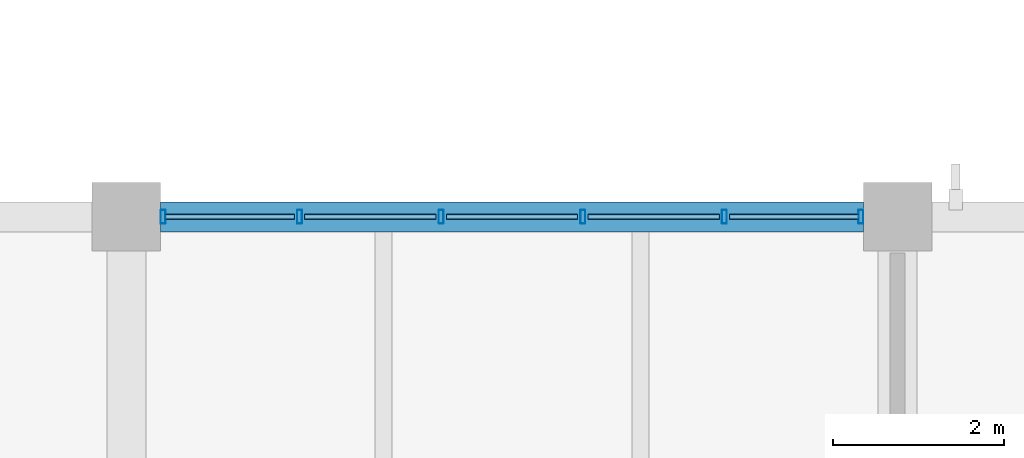
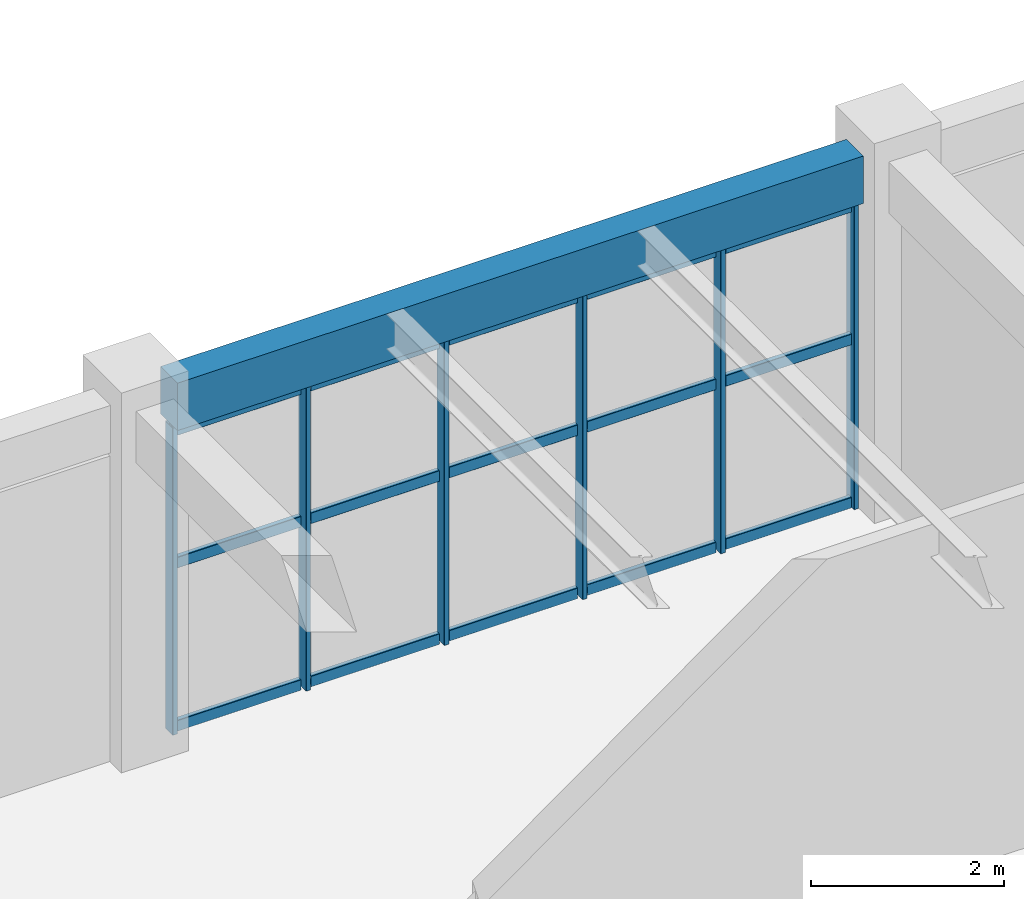
# One storey, part 134 of 178: 21 members, 1 beam, 1 element without a shape of its own.
"""IFC4 building model written with IfcOpenShell, lengths in metres."""

from ifc_helpers import new_model, si_unit, derived_unit, direction, frame, origin, origin_2d, place, context, subcontext, project, spatial, rectangle, hollow_rectangle, extrude, material, material_profile, profile_set, type_object, element, aggregate, save


model = new_model("IFC4")

# Units and contexts
model_context = context("Model", 3, precision=1e-05, world=origin(), true_north=direction((0.0, 1.0)))
body_context = subcontext(model_context, "Body", "Model", "MODEL_VIEW")
ifc_project = project(units=[si_unit("LENGTHUNIT", "METRE"), si_unit("AREAUNIT", "SQUARE_METRE"), si_unit("VOLUMEUNIT", "CUBIC_METRE"), si_unit("PLANEANGLEUNIT", "RADIAN"), si_unit("MASSUNIT", "GRAM", prefix="KILO"), derived_unit("THERMALTRANSMITTANCEUNIT", [(si_unit("MASSUNIT", "GRAM", prefix="KILO"), 1), (si_unit("TIMEUNIT", "SECOND"), -3), (si_unit("THERMODYNAMICTEMPERATUREUNIT", "KELVIN"), -1)])], contexts=[model_context])

# Site, building, storey
site_placement = place(None, origin())
site = spatial("IfcSite", under=ifc_project, at=site_placement, CompositionType="ELEMENT")
building_placement = place(site_placement, origin())
building = spatial("IfcBuilding", under=site, at=building_placement, Name="Zhenchuan Archway Interchange", CompositionType="ELEMENT")
storey_placement = place(building_placement, frame((0.0, 0.0, 5.39990234375)))
storey = spatial("IfcBuildingStorey", under=building, at=storey_placement, Name="L01", CompositionType="ELEMENT", Elevation=5.39990234375)

# Curtain wall, members
ifc_material_1 = material(Name="Anodised Aluminium", Category="aluminium")
curtain_wall_type = type_object("IfcCurtainWallType", Name="CW_UNIT_3", PredefinedType="NOTDEFINED", material=ifc_material_1)
curtain_wall_placement = place(storey_placement, origin())
curtain_wall = element("IfcCurtainWall", 1, at=curtain_wall_placement, inside=storey, type_object=curtain_wall_type, Name="Unitised curtain wall CW:L01:062", PredefinedType="NOTDEFINED")
ifc_material_profile_1 = material_profile(ifc_material_1, hollow_rectangle(XDim=0.06005859375, YDim=0.159912109375, WallThickness=0.00390625, InnerFilletRadius=0.00390625, OuterFilletRadius=0.008056640625, at=origin_2d()), Name="ALU 160x60x4")
ifc_profile_set_1 = profile_set([ifc_material_profile_1], Name="Anodised Aluminium")
member_type_1 = type_object("IfcMemberType", Name="CW_MUL_150", PredefinedType="MULLION", material=ifc_profile_set_1)
member_1_placement = place(storey_placement, frame((135.427978515625, 104.0, 0.0), z_axis=(0.0, 0.0, 1.0), x_axis=(1.0, 0.0, 0.0)))
member_1 = element("IfcMember", 2, at=member_1_placement, type_object=member_type_1, Name="CW:L01:062 mullion 0", PredefinedType="MULLION", context=body_context, shape_type="SweptSolid", body=[
    extrude(hollow_rectangle(XDim=0.06005859375, YDim=0.159912109375, WallThickness=0.00390625, InnerFilletRadius=0.00390625, OuterFilletRadius=0.008056640625, at=origin_2d()), origin(), (0.0, 0.0, 1.0), 3.880126953125),
])
member_2_placement = place(storey_placement, frame((137.020751953125, 104.0, 0.0), z_axis=(0.0, 0.0, 1.0), x_axis=(1.0, 0.0, 0.0)))
member_2 = element("IfcMember", 3, at=member_2_placement, type_object=member_type_1, Name="CW:L01:062 mullion 1", PredefinedType="MULLION", context=body_context, shape_type="SweptSolid", body=[
    extrude(hollow_rectangle(XDim=0.06005859375, YDim=0.159912109375, WallThickness=0.00390625, InnerFilletRadius=0.00390625, OuterFilletRadius=0.008056640625, at=origin_2d()), origin(), (0.0, 0.0, 1.0), 3.880126953125),
])
member_3_placement = place(storey_placement, frame((138.673583984375, 104.0, 0.0), z_axis=(0.0, 0.0, 1.0), x_axis=(1.0, 0.0, 0.0)))
member_3 = element("IfcMember", 4, at=member_3_placement, type_object=member_type_1, Name="CW:L01:062 mullion 2", PredefinedType="MULLION", context=body_context, shape_type="SweptSolid", body=[
    extrude(hollow_rectangle(XDim=0.06005859375, YDim=0.159912109375, WallThickness=0.00390625, InnerFilletRadius=0.00390625, OuterFilletRadius=0.008056640625, at=origin_2d()), origin(), (0.0, 0.0, 1.0), 3.880126953125),
])
member_4_placement = place(storey_placement, frame((140.326416015625, 104.0, 0.0), z_axis=(0.0, 0.0, 1.0), x_axis=(1.0, 0.0, 0.0)))
member_4 = element("IfcMember", 5, at=member_4_placement, type_object=member_type_1, Name="CW:L01:062 mullion 3", PredefinedType="MULLION", context=body_context, shape_type="SweptSolid", body=[
    extrude(hollow_rectangle(XDim=0.06005859375, YDim=0.159912109375, WallThickness=0.00390625, InnerFilletRadius=0.00390625, OuterFilletRadius=0.008056640625, at=origin_2d()), origin(), (0.0, 0.0, 1.0), 3.880126953125),
])
member_5_placement = place(storey_placement, frame((141.979248046875, 104.0, 0.0), z_axis=(0.0, 0.0, 1.0), x_axis=(1.0, 0.0, 0.0)))
member_5 = element("IfcMember", 6, at=member_5_placement, type_object=member_type_1, Name="CW:L01:062 mullion 4", PredefinedType="MULLION", context=body_context, shape_type="SweptSolid", body=[
    extrude(hollow_rectangle(XDim=0.06005859375, YDim=0.159912109375, WallThickness=0.00390625, InnerFilletRadius=0.00390625, OuterFilletRadius=0.008056640625, at=origin_2d()), origin(), (0.0, 0.0, 1.0), 3.880126953125),
])
member_6_placement = place(storey_placement, frame((143.572021484375, 104.0, 0.0), z_axis=(0.0, 0.0, 1.0), x_axis=(1.0, 0.0, 0.0)))
member_6 = element("IfcMember", 7, at=member_6_placement, type_object=member_type_1, Name="CW:L01:062 mullion 5", PredefinedType="MULLION", context=body_context, shape_type="SweptSolid", body=[
    extrude(hollow_rectangle(XDim=0.06005859375, YDim=0.159912109375, WallThickness=0.00390625, InnerFilletRadius=0.00390625, OuterFilletRadius=0.008056640625, at=origin_2d()), origin(), (0.0, 0.0, 1.0), 3.880126953125),
])
ifc_material_profile_2 = material_profile(ifc_material_1, hollow_rectangle(XDim=0.06005859375, YDim=0.139892578125, WallThickness=0.00341796875, InnerFilletRadius=0.00341796875, OuterFilletRadius=0.007080078125, at=origin_2d()), Name="ALU 140x60x3.5")
ifc_profile_set_2 = profile_set([ifc_material_profile_2], Name="Anodised Aluminium")
member_type_2 = type_object("IfcMemberType", Name="CW_TRN_140", PredefinedType="USERDEFINED", material=ifc_profile_set_2)
member_7_placement = place(storey_placement, frame((135.447998046875, 104.0, 0.06005859375), z_axis=(1.0, 0.0, 0.0), x_axis=(0.0, 1.0, 0.0)))
member_7 = element("IfcMember", 8, at=member_7_placement, type_object=member_type_2, Name="CW:L01:062 transom 0-1", ObjectType="TRANSOM", PredefinedType="USERDEFINED", context=body_context, shape_type="SweptSolid", body=[
    extrude(hollow_rectangle(XDim=0.06005859375, YDim=0.139892578125, WallThickness=0.00341796875, InnerFilletRadius=0.00341796875, OuterFilletRadius=0.007080078125, at=origin_2d()), origin(), (0.0, 0.0, 1.0), 1.5126953125),
])
member_8_placement = place(storey_placement, frame((135.447998046875, 104.0, 2.123046875), z_axis=(1.0, 0.0, 0.0), x_axis=(0.0, 1.0, 0.0)))
member_8 = element("IfcMember", 9, at=member_8_placement, type_object=member_type_2, Name="CW:L01:062 transom 0-2", ObjectType="TRANSOM", PredefinedType="USERDEFINED", context=body_context, shape_type="SweptSolid", body=[
    extrude(hollow_rectangle(XDim=0.06005859375, YDim=0.139892578125, WallThickness=0.00341796875, InnerFilletRadius=0.00341796875, OuterFilletRadius=0.007080078125, at=origin_2d()), origin(), (0.0, 0.0, 1.0), 1.5126953125),
])
member_9_placement = place(storey_placement, frame((135.447998046875, 104.0, 3.800048828125), z_axis=(1.0, 0.0, 0.0), x_axis=(0.0, 1.0, 0.0)))
member_9 = element("IfcMember", 10, at=member_9_placement, type_object=member_type_2, Name="CW:L01:062 transom 0-3", ObjectType="TRANSOM", PredefinedType="USERDEFINED", context=body_context, shape_type="SweptSolid", body=[
    extrude(hollow_rectangle(XDim=0.06005859375, YDim=0.139892578125, WallThickness=0.00341796875, InnerFilletRadius=0.00341796875, OuterFilletRadius=0.007080078125, at=origin_2d()), origin(), (0.0, 0.0, 1.0), 1.5126953125),
])
member_10_placement = place(storey_placement, frame((137.080810546875, 104.0, 0.06005859375), z_axis=(1.0, 0.0, 0.0), x_axis=(0.0, 1.0, 0.0)))
member_10 = element("IfcMember", 11, at=member_10_placement, type_object=member_type_2, Name="CW:L01:062 transom 1-1", ObjectType="TRANSOM", PredefinedType="USERDEFINED", context=body_context, shape_type="SweptSolid", body=[
    extrude(hollow_rectangle(XDim=0.06005859375, YDim=0.139892578125, WallThickness=0.00341796875, InnerFilletRadius=0.00341796875, OuterFilletRadius=0.007080078125, at=origin_2d()), origin(), (0.0, 0.0, 1.0), 1.53271484375),
])
member_11_placement = place(storey_placement, frame((137.080810546875, 104.0, 2.123046875), z_axis=(1.0, 0.0, 0.0), x_axis=(0.0, 1.0, 0.0)))
member_11 = element("IfcMember", 12, at=member_11_placement, type_object=member_type_2, Name="CW:L01:062 transom 1-2", ObjectType="TRANSOM", PredefinedType="USERDEFINED", context=body_context, shape_type="SweptSolid", body=[
    extrude(hollow_rectangle(XDim=0.06005859375, YDim=0.139892578125, WallThickness=0.00341796875, InnerFilletRadius=0.00341796875, OuterFilletRadius=0.007080078125, at=origin_2d()), origin(), (0.0, 0.0, 1.0), 1.53271484375),
])
member_12_placement = place(storey_placement, frame((137.080810546875, 104.0, 3.800048828125), z_axis=(1.0, 0.0, 0.0), x_axis=(0.0, 1.0, 0.0)))
member_12 = element("IfcMember", 13, at=member_12_placement, type_object=member_type_2, Name="CW:L01:062 transom 1-3", ObjectType="TRANSOM", PredefinedType="USERDEFINED", context=body_context, shape_type="SweptSolid", body=[
    extrude(hollow_rectangle(XDim=0.06005859375, YDim=0.139892578125, WallThickness=0.00341796875, InnerFilletRadius=0.00341796875, OuterFilletRadius=0.007080078125, at=origin_2d()), origin(), (0.0, 0.0, 1.0), 1.53271484375),
])
member_13_placement = place(storey_placement, frame((138.733642578125, 104.0, 0.06005859375), z_axis=(1.0, 0.0, 0.0), x_axis=(0.0, 1.0, 0.0)))
member_13 = element("IfcMember", 14, at=member_13_placement, type_object=member_type_2, Name="CW:L01:062 transom 2-1", ObjectType="TRANSOM", PredefinedType="USERDEFINED", context=body_context, shape_type="SweptSolid", body=[
    extrude(hollow_rectangle(XDim=0.06005859375, YDim=0.139892578125, WallThickness=0.00341796875, InnerFilletRadius=0.00341796875, OuterFilletRadius=0.007080078125, at=origin_2d()), origin(), (0.0, 0.0, 1.0), 1.53271484375),
])
member_14_placement = place(storey_placement, frame((138.733642578125, 104.0, 2.123046875), z_axis=(1.0, 0.0, 0.0), x_axis=(0.0, 1.0, 0.0)))
member_14 = element("IfcMember", 15, at=member_14_placement, type_object=member_type_2, Name="CW:L01:062 transom 2-2", ObjectType="TRANSOM", PredefinedType="USERDEFINED", context=body_context, shape_type="SweptSolid", body=[
    extrude(hollow_rectangle(XDim=0.06005859375, YDim=0.139892578125, WallThickness=0.00341796875, InnerFilletRadius=0.00341796875, OuterFilletRadius=0.007080078125, at=origin_2d()), origin(), (0.0, 0.0, 1.0), 1.53271484375),
])
member_15_placement = place(storey_placement, frame((138.733642578125, 104.0, 3.800048828125), z_axis=(1.0, 0.0, 0.0), x_axis=(0.0, 1.0, 0.0)))
member_15 = element("IfcMember", 16, at=member_15_placement, type_object=member_type_2, Name="CW:L01:062 transom 2-3", ObjectType="TRANSOM", PredefinedType="USERDEFINED", context=body_context, shape_type="SweptSolid", body=[
    extrude(hollow_rectangle(XDim=0.06005859375, YDim=0.139892578125, WallThickness=0.00341796875, InnerFilletRadius=0.00341796875, OuterFilletRadius=0.007080078125, at=origin_2d()), origin(), (0.0, 0.0, 1.0), 1.53271484375),
])
member_16_placement = place(storey_placement, frame((140.386474609375, 104.0, 0.06005859375), z_axis=(1.0, 0.0, 0.0), x_axis=(0.0, 1.0, 0.0)))
member_16 = element("IfcMember", 17, at=member_16_placement, type_object=member_type_2, Name="CW:L01:062 transom 3-1", ObjectType="TRANSOM", PredefinedType="USERDEFINED", context=body_context, shape_type="SweptSolid", body=[
    extrude(hollow_rectangle(XDim=0.06005859375, YDim=0.139892578125, WallThickness=0.00341796875, InnerFilletRadius=0.00341796875, OuterFilletRadius=0.007080078125, at=origin_2d()), origin(), (0.0, 0.0, 1.0), 1.53271484375),
])
member_17_placement = place(storey_placement, frame((140.386474609375, 104.0, 2.123046875), z_axis=(1.0, 0.0, 0.0), x_axis=(0.0, 1.0, 0.0)))
member_17 = element("IfcMember", 18, at=member_17_placement, type_object=member_type_2, Name="CW:L01:062 transom 3-2", ObjectType="TRANSOM", PredefinedType="USERDEFINED", context=body_context, shape_type="SweptSolid", body=[
    extrude(hollow_rectangle(XDim=0.06005859375, YDim=0.139892578125, WallThickness=0.00341796875, InnerFilletRadius=0.00341796875, OuterFilletRadius=0.007080078125, at=origin_2d()), origin(), (0.0, 0.0, 1.0), 1.53271484375),
])
member_18_placement = place(storey_placement, frame((140.386474609375, 104.0, 3.800048828125), z_axis=(1.0, 0.0, 0.0), x_axis=(0.0, 1.0, 0.0)))
member_18 = element("IfcMember", 19, at=member_18_placement, type_object=member_type_2, Name="CW:L01:062 transom 3-3", ObjectType="TRANSOM", PredefinedType="USERDEFINED", context=body_context, shape_type="SweptSolid", body=[
    extrude(hollow_rectangle(XDim=0.06005859375, YDim=0.139892578125, WallThickness=0.00341796875, InnerFilletRadius=0.00341796875, OuterFilletRadius=0.007080078125, at=origin_2d()), origin(), (0.0, 0.0, 1.0), 1.53271484375),
])
member_19_placement = place(storey_placement, frame((142.039306640625, 104.0, 0.06005859375), z_axis=(1.0, 0.0, 0.0), x_axis=(0.0, 1.0, 0.0)))
member_19 = element("IfcMember", 20, at=member_19_placement, type_object=member_type_2, Name="CW:L01:062 transom 4-1", ObjectType="TRANSOM", PredefinedType="USERDEFINED", context=body_context, shape_type="SweptSolid", body=[
    extrude(hollow_rectangle(XDim=0.06005859375, YDim=0.139892578125, WallThickness=0.00341796875, InnerFilletRadius=0.00341796875, OuterFilletRadius=0.007080078125, at=origin_2d()), origin(), (0.0, 0.0, 1.0), 1.5126953125),
])
member_20_placement = place(storey_placement, frame((142.039306640625, 104.0, 2.123046875), z_axis=(1.0, 0.0, 0.0), x_axis=(0.0, 1.0, 0.0)))
member_20 = element("IfcMember", 21, at=member_20_placement, type_object=member_type_2, Name="CW:L01:062 transom 4-2", ObjectType="TRANSOM", PredefinedType="USERDEFINED", context=body_context, shape_type="SweptSolid", body=[
    extrude(hollow_rectangle(XDim=0.06005859375, YDim=0.139892578125, WallThickness=0.00341796875, InnerFilletRadius=0.00341796875, OuterFilletRadius=0.007080078125, at=origin_2d()), origin(), (0.0, 0.0, 1.0), 1.5126953125),
])
member_21_placement = place(storey_placement, frame((142.039306640625, 104.0, 3.800048828125), z_axis=(1.0, 0.0, 0.0), x_axis=(0.0, 1.0, 0.0)))
member_21 = element("IfcMember", 22, at=member_21_placement, type_object=member_type_2, Name="CW:L01:062 transom 4-3", ObjectType="TRANSOM", PredefinedType="USERDEFINED", context=body_context, shape_type="SweptSolid", body=[
    extrude(hollow_rectangle(XDim=0.06005859375, YDim=0.139892578125, WallThickness=0.00341796875, InnerFilletRadius=0.00341796875, OuterFilletRadius=0.007080078125, at=origin_2d()), origin(), (0.0, 0.0, 1.0), 1.5126953125),
])
aggregate(curtain_wall, [member_1, member_2, member_3, member_4, member_5, member_6, member_7, member_8, member_9, member_10, member_11, member_12, member_13, member_14, member_15, member_16, member_17, member_18, member_19, member_20, member_21])

# Beam
ifc_material_2 = material(Name="Concrete C40", Category="concrete")
ifc_material_profile_3 = material_profile(ifc_material_2, rectangle(XDim=0.35009765625, YDim=0.60009765625, at=origin_2d()), Name="RC 350x600")
ifc_profile_set_3 = profile_set([ifc_material_profile_3], Name="Concrete C40")
beam_type = type_object("IfcBeamType", Name="SP_RC_350x600", PredefinedType="SPANDREL", material=ifc_profile_set_3)
beam_placement = place(storey_placement, frame((135.39990234375, 104.0, 4.210205078125), z_axis=(1.0, 0.0, 0.0), x_axis=(0.0, 1.0, 0.0)))
element("IfcBeam", 23, at=beam_placement, inside=storey, type_object=beam_type, Name="Beam O:16-17 (L01)", PredefinedType="SPANDREL", context=body_context, shape_type="SweptSolid", body=[
    extrude(rectangle(XDim=0.35009765625, YDim=0.60009765625, at=origin_2d()), origin(), (0.0, 0.0, 1.0), 8.2001953125),
])

save(model, "model.ifc")
